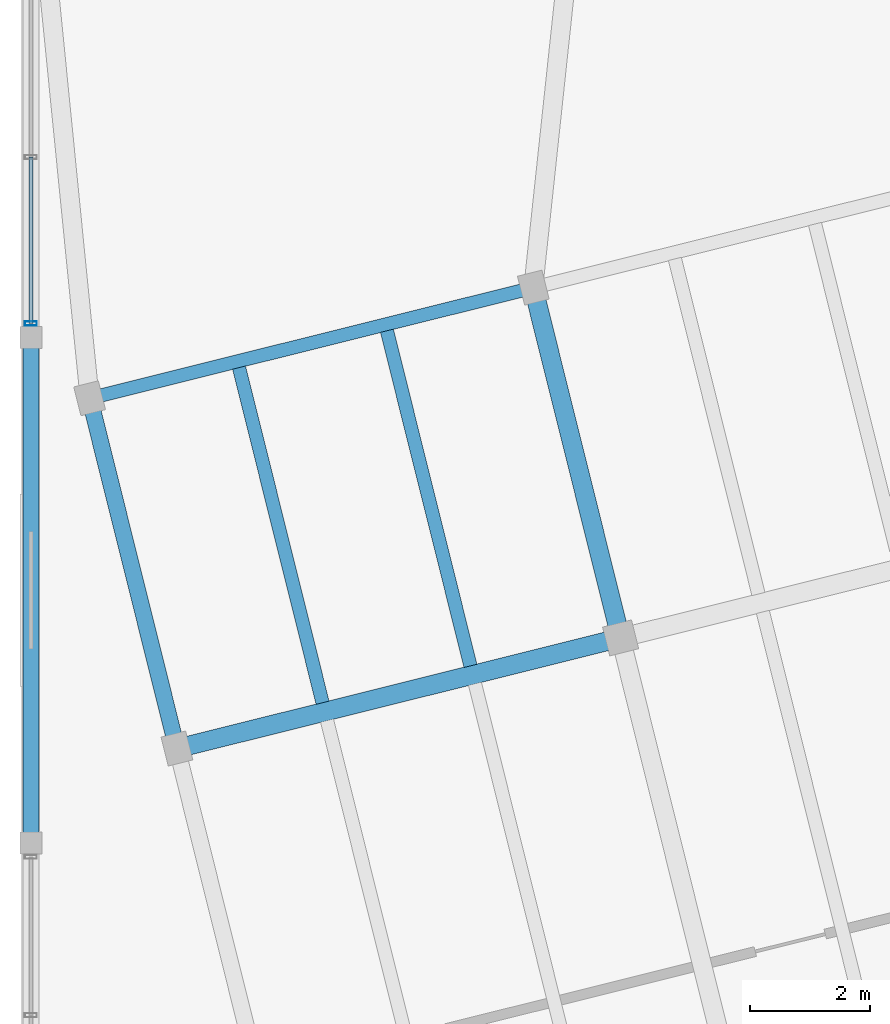
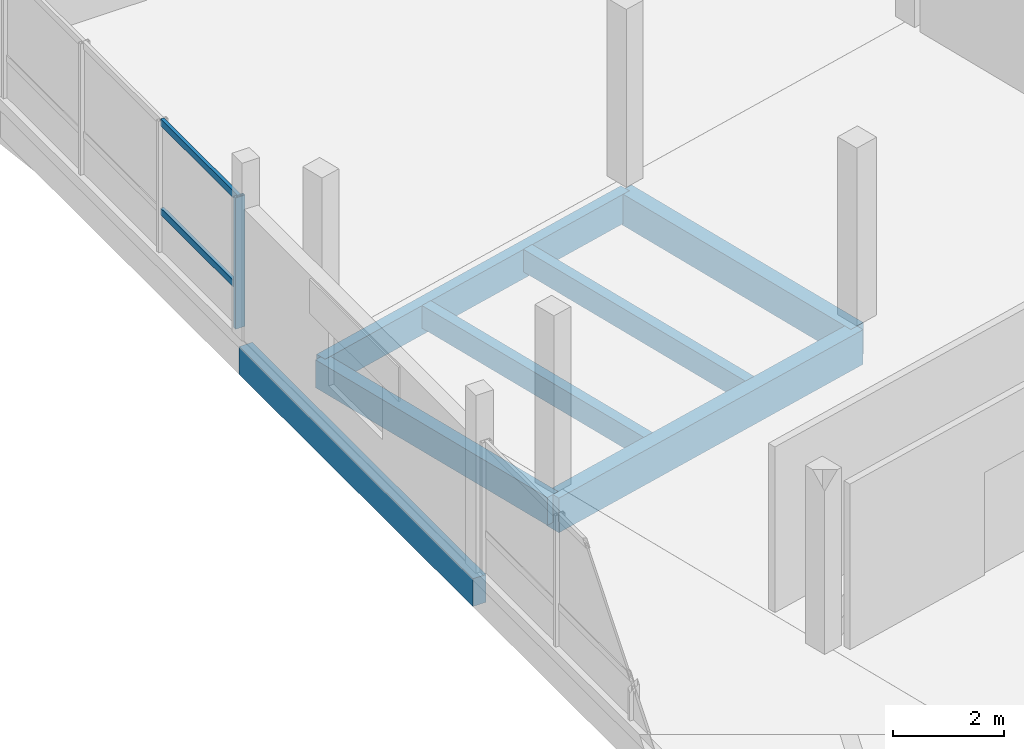
# One storey, part 22 of 39: 7 beams, 3 members, 1 element without a shape of its own.
"""IFC4 building model written with IfcOpenShell, lengths in metres."""

from ifc_helpers import new_model, si_unit, direction, frame, origin, origin_2d, place, context, subcontext, project, spatial, rectangle, hollow_rectangle, extrude, material, layer, layer_set, material_profile, profile_set, type_object, element, aggregate, save


model = new_model("IFC4")

# Units and contexts
model_context = context("Model", 3, precision=1e-05, world=origin(), true_north=direction((0.0, 1.0)))
body_context = subcontext(model_context, "Body", "Model", "MODEL_VIEW")
ifc_project = project(units=[si_unit("LENGTHUNIT", "METRE"), si_unit("AREAUNIT", "SQUARE_METRE"), si_unit("VOLUMEUNIT", "CUBIC_METRE"), si_unit("PLANEANGLEUNIT", "RADIAN"), si_unit("MASSUNIT", "GRAM", prefix="KILO")], contexts=[model_context])

# Site, building, storey
site_placement = place(None, origin())
site = spatial("IfcSite", under=ifc_project, at=site_placement, CompositionType="ELEMENT")
building_placement = place(site_placement, origin())
building = spatial("IfcBuilding", under=site, at=building_placement, Name="Meriwether Solvik Hall", CompositionType="ELEMENT")
storey_placement = place(building_placement, frame((0.0, 0.0, 22.199951171875)))
storey = spatial("IfcBuildingStorey", under=building, at=storey_placement, Name="L05", CompositionType="ELEMENT", Elevation=22.199951171875)

# Beams
ifc_material_1 = material(Name="Glulam Douglas-Fir 24F-V8 GL28h", Category="wood")
ifc_material_profile_1 = material_profile(ifc_material_1, rectangle(XDim=0.221923828125, YDim=0.64501953125, at=origin_2d()), Name="GLB-222X645")
ifc_profile_set_1 = profile_set([ifc_material_profile_1], Name="Glulam Douglas-Fir 24F-V8 GL28h")
beam_type_1 = type_object("IfcBeamType", Name="BM-GL-222X645", PredefinedType="SPANDREL", material=ifc_profile_set_1)
beam_1_placement = place(storey_placement, frame((60.374755859375, 74.18994140625, -0.5673828125), z_axis=(0.970295366785, 0.241923337436, 0.0), x_axis=(-0.241923337436, 0.970295366785, 0.0)))
element("IfcBeam", 1, at=beam_1_placement, inside=storey, type_object=beam_type_1, Name="Tower Girder TF:T1-T2 (L05)", PredefinedType="SPANDREL", context=body_context, shape_type="SweptSolid", body=[
    extrude(rectangle(XDim=0.221923828125, YDim=0.64501953125, at=origin_2d()), origin(), (0.0, 0.0, 1.0), 7.60009765625),
])
ifc_material_2 = material(Name="Glulam Douglas-Fir 24F-V8 GL28h", Category="wood")
ifc_material_profile_2 = material_profile(ifc_material_2, rectangle(XDim=0.27294921875, YDim=0.610107421875, at=origin_2d()), Name="GLB-273X610")
ifc_profile_set_2 = profile_set([ifc_material_profile_2], Name="Glulam Douglas-Fir 24F-V8 GL28h")
beam_type_2 = type_object("IfcBeamType", Name="BM-GL-273X610", PredefinedType="SPANDREL", material=ifc_profile_set_2)
beam_2_placement = place(storey_placement, frame((59.39990234375, 66.800048828125, -0.550048828125), z_axis=(0.0, 1.0, 0.0), x_axis=(-1.0, 0.0, 0.0)))
element("IfcBeam", 2, at=beam_2_placement, inside=storey, type_object=beam_type_2, Name="Podium Girder 7:H-I (L05)", PredefinedType="SPANDREL", context=body_context, shape_type="SweptSolid", body=[
    extrude(rectangle(XDim=0.27294921875, YDim=0.610107421875, at=origin_2d()), origin(), (0.0, 0.0, 1.0), 8.39990234375),
])
beam_3_placement = place(storey_placement, frame((61.826171875, 68.3681640625, -0.550048828125), z_axis=(-0.241903677572, 0.970300268359, 0.0), x_axis=(-0.970300268359, -0.241903677572, 0.0)))
element("IfcBeam", 3, at=beam_3_placement, inside=storey, type_object=beam_type_2, Name="Tower Girder T1:TE-TF (L05)", PredefinedType="SPANDREL", context=body_context, shape_type="SweptSolid", body=[
    extrude(rectangle(XDim=0.27294921875, YDim=0.610107421875, at=origin_2d()), origin(), (0.0, 0.0, 1.0), 6.0),
])
ifc_material_3 = material(Name="Glulam Douglas-Fir 24F-V8 GL28h", Category="wood")
ifc_material_profile_3 = material_profile(ifc_material_3, rectangle(XDim=0.31494140625, YDim=0.68505859375, at=origin_2d()), Name="GLB-315X685")
ifc_profile_set_3 = profile_set([ifc_material_profile_3], Name="Glulam Douglas-Fir 24F-V8 GL28h")
beam_type_3 = type_object("IfcBeamType", Name="BM-GL-315X685", PredefinedType="BEAM", material=ifc_profile_set_3)
beam_4_placement = place(storey_placement, frame((69.200439453125, 70.206787109375, -0.58740234375), z_axis=(-0.241903677572, 0.970300268359, 0.0), x_axis=(-0.970300268359, -0.241903677572, 0.0)))
element("IfcBeam", 4, at=beam_4_placement, inside=storey, type_object=beam_type_3, Name="Tower Girder T2:TE-TF (L05)", PredefinedType="BEAM", context=body_context, shape_type="SweptSolid", body=[
    extrude(rectangle(XDim=0.31494140625, YDim=0.68505859375, at=origin_2d()), origin(), (0.0, 0.0, 1.0), 6.0),
])
ifc_material_4 = material(Name="Glulam Douglas-Fir 24F-V8 GL28h", Category="wood")
ifc_material_profile_4 = material_profile(ifc_material_4, rectangle(XDim=0.31494140625, YDim=0.760009765625, at=origin_2d()), Name="GLB-315X760")
ifc_profile_set_4 = profile_set([ifc_material_profile_4], Name="Glulam Douglas-Fir 24F-V8 GL28h")
beam_type_4 = type_object("IfcBeamType", Name="BM-GL-315X760", PredefinedType="BEAM", material=ifc_profile_set_4)
beam_5_placement = place(storey_placement, frame((61.826171875, 68.3681640625, -0.625), z_axis=(0.970295366785, 0.241923337436, 0.0), x_axis=(-0.241923337436, 0.970295366785, 0.0)))
element("IfcBeam", 5, at=beam_5_placement, inside=storey, type_object=beam_type_4, Name="Tower Girder TE:T1-T2 (L05)", PredefinedType="BEAM", context=body_context, shape_type="SweptSolid", body=[
    extrude(rectangle(XDim=0.31494140625, YDim=0.760009765625, at=origin_2d()), origin(), (0.0, 0.0, 1.0), 7.60009765625),
])

# Curtain wall, members
ifc_material_5 = material(Name="Thermally Broken Anodised Aluminium 6063-T6 and Low-E Glass", Category="aluminium")
ifc_layer = layer(ifc_material_5, 0.179931640625)
ifc_layer_set = layer_set([ifc_layer], Name="Thermally Broken Anodised Aluminium 6063-T6 and Low-E Glass")
curtain_wall_type = type_object("IfcCurtainWallType", Name="CW-UNIT-E", PredefinedType="USERDEFINED", material=ifc_layer_set)
curtain_wall_placement = place(storey_placement, origin())
curtain_wall = element("IfcCurtainWall", 6, at=curtain_wall_placement, inside=storey, type_object=curtain_wall_type, Name="Curtain Wall wing_Y7_9_16 (L05)", ObjectType="UNITISED CURTAIN WALL", PredefinedType="USERDEFINED")
ifc_material_6 = material(Name="Anodised Aluminium 6063-T6", Category="aluminium")
ifc_material_profile_5 = material_profile(ifc_material_6, hollow_rectangle(XDim=0.070068359375, YDim=0.199951171875, WallThickness=0.0048828125, at=origin_2d()), Name="CWM-70X200")
ifc_profile_set_5 = profile_set([ifc_material_profile_5], Name="Anodised Aluminium 6063-T6")
member_type_1 = type_object("IfcMemberType", Name="CW-MUL-70X200", PredefinedType="MULLION", material=ifc_profile_set_5)
member_1_placement = place(storey_placement, frame((59.39990234375, 75.4326171875, 0.0), z_axis=(0.0, 0.0, 1.0), x_axis=(0.0, 1.0, 0.0)))
member_1 = element("IfcMember", 7, at=member_1_placement, type_object=member_type_1, Name="Curtain Wall Mullion 1", PredefinedType="MULLION", context=body_context, shape_type="SweptSolid", body=[
    extrude(hollow_rectangle(XDim=0.070068359375, YDim=0.199951171875, WallThickness=0.0048828125, at=origin_2d()), origin(), (0.0, 0.0, 1.0), 2.880126953125),
])
ifc_material_7 = material(Name="Anodised Aluminium 6063-T6", Category="aluminium")
ifc_material_profile_6 = material_profile(ifc_material_7, hollow_rectangle(XDim=0.070068359375, YDim=0.14990234375, WallThickness=0.0048828125, at=origin_2d()), Name="CWT-70X150")
ifc_profile_set_6 = profile_set([ifc_material_profile_6], Name="Anodised Aluminium 6063-T6")
member_type_2 = type_object("IfcMemberType", Name="CW-TRN-70X150", PredefinedType="USERDEFINED", material=ifc_profile_set_6)
member_2_placement = place(storey_placement, frame((59.39990234375, 75.4326171875, 0.864013671875), z_axis=(0.0, 1.0, 0.0), x_axis=(-1.0, 0.0, 0.0)))
member_2 = element("IfcMember", 8, at=member_2_placement, type_object=member_type_2, Name="Curtain Wall Transom 1-sill", ObjectType="TRANSOM", PredefinedType="USERDEFINED", context=body_context, shape_type="SweptSolid", body=[
    extrude(hollow_rectangle(XDim=0.070068359375, YDim=0.14990234375, WallThickness=0.0048828125, at=origin_2d()), origin(), (0.0, 0.0, 1.0), 2.765625),
])
member_3_placement = place(storey_placement, frame((59.39990234375, 75.4326171875, 2.820068359375), z_axis=(0.0, 1.0, 0.0), x_axis=(-1.0, 0.0, 0.0)))
member_3 = element("IfcMember", 9, at=member_3_placement, type_object=member_type_2, Name="Curtain Wall Transom 1-head", ObjectType="TRANSOM", PredefinedType="USERDEFINED", context=body_context, shape_type="SweptSolid", body=[
    extrude(hollow_rectangle(XDim=0.070068359375, YDim=0.14990234375, WallThickness=0.0048828125, at=origin_2d()), origin(), (0.0, 0.0, 1.0), 2.765625),
])
aggregate(curtain_wall, [member_1, member_2, member_3])

# Beams
ifc_material_8 = material(Name="Glulam Douglas-Fir 24F-V8 GL28h", Category="wood")
ifc_material_profile_7 = material_profile(ifc_material_8, rectangle(XDim=0.221923828125, YDim=0.4951171875, at=origin_2d()), Name="GLJ-222X495")
ifc_profile_set_7 = profile_set([ifc_material_profile_7], Name="Glulam Douglas-Fir 24F-V8 GL28h")
beam_type_5 = type_object("IfcBeamType", Name="JST-GL-222X495", PredefinedType="JOIST", material=ifc_profile_set_7)
beam_6_placement = place(storey_placement, frame((64.247314453125, 69.129150390625, -0.492431640625), z_axis=(-0.241915235082, 0.970297386905, 0.0), x_axis=(-0.970297386905, -0.241915235082, 0.0)))
element("IfcBeam", 10, at=beam_6_placement, inside=storey, type_object=beam_type_5, Name="Glulam Floor Joist T1/TE-J1 (L05)", PredefinedType="JOIST", context=body_context, shape_type="SweptSolid", body=[
    extrude(rectangle(XDim=0.221923828125, YDim=0.4951171875, at=origin_2d()), origin(), (0.0, 0.0, 1.0), 5.741455078125),
])
beam_7_placement = place(storey_placement, frame((66.70556640625, 69.741943359375, -0.492431640625), z_axis=(-0.241945286667, 0.970289893928, 0.0), x_axis=(-0.970289893928, -0.241945286667, 0.0)))
element("IfcBeam", 11, at=beam_7_placement, inside=storey, type_object=beam_type_5, Name="Glulam Floor Joist T1/TE-J2 (L05)", PredefinedType="JOIST", context=body_context, shape_type="SweptSolid", body=[
    extrude(rectangle(XDim=0.221923828125, YDim=0.4951171875, at=origin_2d()), origin(), (0.0, 0.0, 1.0), 5.74169921875),
])

save(model, "model.ifc")
